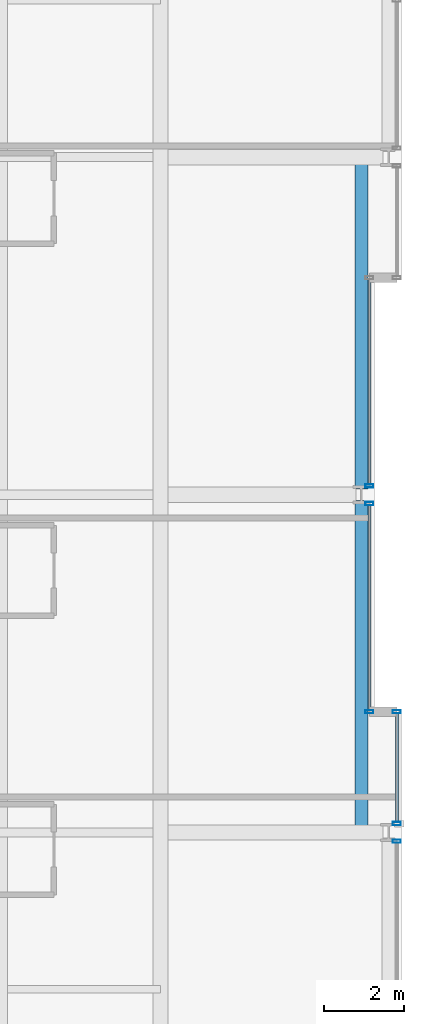
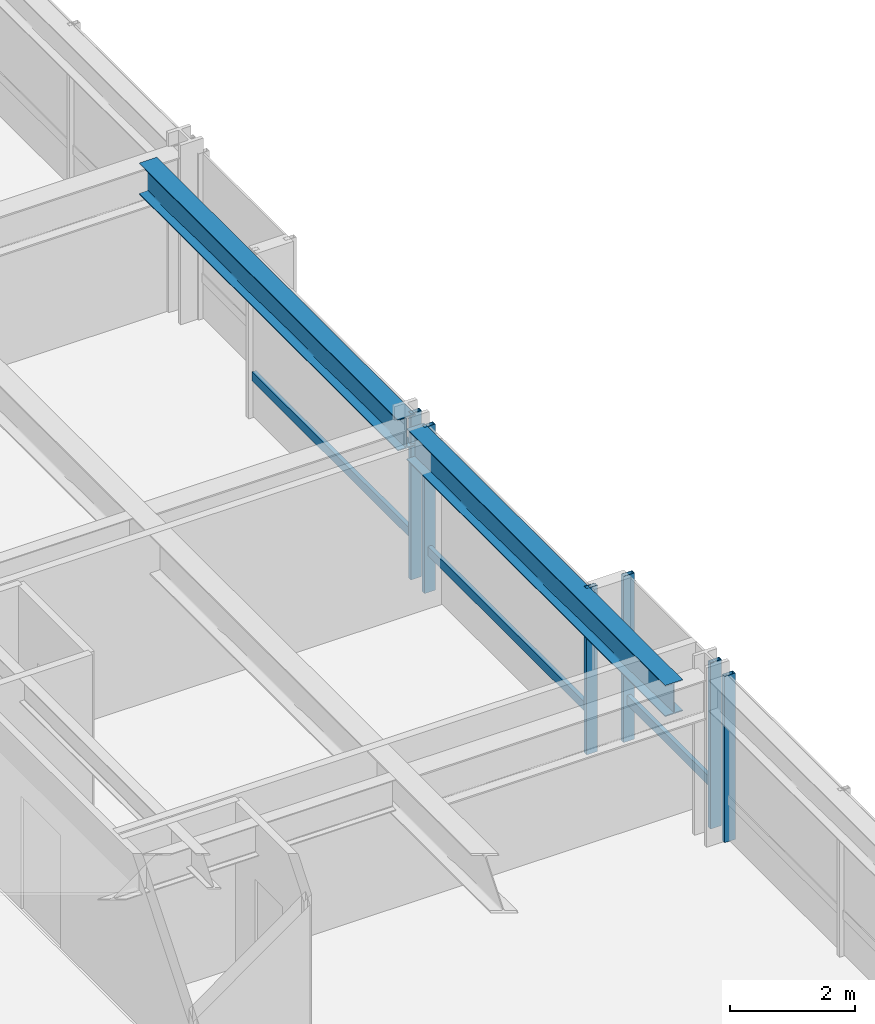
# One storey, part 15 of 33: 9 members, 2 beams, 4 elements without a shape of their own.
"""IFC4 building model written with IfcOpenShell, lengths in metres."""

import ifcopenshell
import ifcopenshell.guid

model = None  # the IFC model being written
_history = None  # IfcOwnerHistory: only IFC2X3 demands one
_inside = {}  # id of a spatial element -> (the spatial element, [elements in it])
_under = {}  # id of a project, library or spatial element -> (it, [spatial elements below it])
_declared = {}  # id of a project -> (the project, [libraries it declares])
_typed = {}  # id of a type object -> (the type object, [elements of that type])
_made_of = {}  # id of a material, layer set ... -> (it, [elements and type objects made of it])


def new_model(schema):
    """Start an empty IFC model of exactly this schema.

    Asked for "IFC4X3", IfcOpenShell would pick the latest addendum, in which some entities
    have other attributes; the version numbers below select the first issue.
    IFC2X3 requires an IfcOwnerHistory on every rooted entity: one is made here for all.
    """
    global model, _history
    if schema == "IFC4X3":
        model = ifcopenshell.file(schema_version=(4, 3, 0, 0))
    else:
        model = ifcopenshell.file(schema=schema)
    _inside.clear()
    _under.clear()
    _declared.clear()
    _typed.clear()
    _made_of.clear()
    _history = None
    if model.schema == "IFC2X3":
        org = make("IfcOrganization", Name="unknown")
        user = make(
            "IfcPersonAndOrganization",
            ThePerson=make("IfcPerson", FamilyName="unknown"),
            TheOrganization=org,
        )
        app = make(
            "IfcApplication",
            ApplicationDeveloper=org,
            Version="unknown",
            ApplicationFullName="unknown",
            ApplicationIdentifier="unknown",
        )
        _history = make(
            "IfcOwnerHistory",
            OwningUser=user,
            OwningApplication=app,
            ChangeAction="ADDED",
            CreationDate=0,
        )
    return model


def make(cls, **values):
    """One entity of the class cls with the attributes given. An attribute that is None is left unset."""
    return model.create_entity(
        cls, **{name: value for name, value in values.items() if value is not None}
    )


def rooted(cls, **values):
    """An entity with a GlobalId (a new one), such as an element, a storey or a relation."""
    return make(cls, GlobalId=ifcopenshell.guid.new(), OwnerHistory=_history, **values)


def si_unit(unit_type, name, prefix=None):
    """IfcSIUnit, for example si_unit("LENGTHUNIT", "METRE", prefix="MILLI")."""
    return make("IfcSIUnit", UnitType=unit_type, Prefix=prefix, Name=name)


def assignment(units):
    """IfcUnitAssignment: the units of a project."""
    return None if units is None else make("IfcUnitAssignment", Units=units)


def point(xyz):
    """IfcCartesianPoint."""
    return None if xyz is None else make("IfcCartesianPoint", Coordinates=xyz)


def direction(xyz):
    """IfcDirection."""
    return None if xyz is None else make("IfcDirection", DirectionRatios=xyz)


def frame(location, z_axis=None, x_axis=None):
    """IfcAxis2Placement3D, a coordinate frame: its origin and axes. An axis left out is left unset."""
    return make(
        "IfcAxis2Placement3D",
        Location=point(location),
        Axis=direction(z_axis),
        RefDirection=direction(x_axis),
    )


def frame_2d(location, x_axis=None):
    """IfcAxis2Placement2D, a coordinate frame in the plane: its origin and x axis."""
    return make(
        "IfcAxis2Placement2D", Location=point(location), RefDirection=direction(x_axis)
    )


def origin():
    """The frame at (0, 0, 0) with its axes left unset."""
    return frame((0.0, 0.0, 0.0))


def origin_2d():
    """The frame at (0, 0) in the plane with its x axis left unset."""
    return frame_2d((0.0, 0.0))


def place(relative_to, where):
    """IfcLocalPlacement: puts the frame where relative to a parent placement (None: the world)."""
    return make(
        "IfcLocalPlacement", PlacementRelTo=relative_to, RelativePlacement=where
    )


def context(
    kind, dimensions, precision=None, world=None, true_north=None, identifier=None
):
    """IfcGeometricRepresentationContext, for example the 3D "Model" context."""
    return make(
        "IfcGeometricRepresentationContext",
        ContextIdentifier=identifier,
        ContextType=kind,
        CoordinateSpaceDimension=dimensions,
        Precision=precision,
        WorldCoordinateSystem=world,
        TrueNorth=true_north,
    )


def subcontext(parent, identifier, kind, view, scale=None):
    """IfcGeometricRepresentationSubContext, for example "Body" below "Model"."""
    return make(
        "IfcGeometricRepresentationSubContext",
        ContextIdentifier=identifier,
        ContextType=kind,
        ParentContext=parent,
        TargetScale=scale,
        TargetView=view,
    )


def project(units=None, contexts=None):
    """IfcProject with its units and contexts."""
    return rooted(
        "IfcProject",
        Name="project",
        RepresentationContexts=contexts,
        UnitsInContext=assignment(units),
    )


def spatial(cls, under=None, at=None, **own):
    """A site, building, storey or space (cls), placed at a placement, below another one or the project."""
    s = rooted(cls, ObjectPlacement=at, **own)
    if under is not None:
        _under.setdefault(under.id(), (under, []))[1].append(s)
    return s


def profile(cls, at=None, kind="AREA", **sizes):
    """A parametric profile (cls). Its sizes go by their IFC names, for example OverallWidth=200.0."""
    return make(cls, ProfileType=kind, Position=at, **sizes)


def hollow_rectangle(**sizes):
    """IfcRectangleHollowProfileDef."""
    return profile("IfcRectangleHollowProfileDef", **sizes)


def i_section(**sizes):
    """IfcIShapeProfileDef."""
    return profile("IfcIShapeProfileDef", **sizes)


def extrude(swept, where, along, depth):
    """IfcExtrudedAreaSolid: the profile swept, set in the frame where, extruded along a direction by depth."""
    return make(
        "IfcExtrudedAreaSolid",
        SweptArea=swept,
        Position=where,
        ExtrudedDirection=direction(along),
        Depth=depth,
    )


def shape(context_of_items, identifier, shape_type, items):
    """IfcShapeRepresentation: the items that make up one representation, for example the "Body"."""
    return make(
        "IfcShapeRepresentation",
        ContextOfItems=context_of_items,
        RepresentationIdentifier=identifier,
        RepresentationType=shape_type,
        Items=items,
    )


def material(Name=None, Category=None):
    """IfcMaterial."""
    return make("IfcMaterial", Name=Name, Category=Category)


def layer(
    of_material, thickness, ventilated=None, Name=None, Category=None, Priority=None
):
    """IfcMaterialLayer: one layer of a wall or slab, of a material (None: an air gap)."""
    return make(
        "IfcMaterialLayer",
        Material=of_material,
        LayerThickness=thickness,
        IsVentilated=ventilated,
        Name=Name,
        Category=Category,
        Priority=Priority,
    )


def layer_set(layers, Name=None):
    """IfcMaterialLayerSet."""
    return make("IfcMaterialLayerSet", MaterialLayers=layers, LayerSetName=Name)


def material_profile(
    of_material, cross_section, Name=None, Category=None, Priority=None
):
    """IfcMaterialProfile: a cross section and its material."""
    return make(
        "IfcMaterialProfile",
        Name=Name,
        Material=of_material,
        Profile=cross_section,
        Priority=Priority,
        Category=Category,
    )


def profile_set(profiles, Name=None, composite=None):
    """IfcMaterialProfileSet."""
    return make(
        "IfcMaterialProfileSet",
        Name=Name,
        MaterialProfiles=profiles,
        CompositeProfile=composite,
    )


def made_of(thing, what):
    """Note that an element or type object is made of a material, layer set ...; save() writes the relation."""
    if what is not None:
        _made_of.setdefault(what.id(), (what, []))[1].append(thing)
    return thing


def type_object(cls, material=None, **own):
    """A type object (cls), such as IfcWallType, which elements share."""
    return made_of(rooted(cls, **own), material)


def element(
    cls,
    number,
    at=None,
    inside=None,
    cuts=None,
    type_object=None,
    material=None,
    context=None,
    identifier="Body",
    shape_type=None,
    held_by="IfcProductDefinitionShape",
    body=None,
    shapes=None,
    **own,
):
    """One element of the class cls, such as IfcWall. Its Tag is "e" and its number.

    at: its placement. inside: the storey or other place that contains it. cuts: it is an
    opening in that element (IfcRelVoidsElement). A single representation is given by context,
    identifier, shape_type and body (its items); several are given by shapes. held_by: the class
    of the entity that holds the representations. save() writes the other relations.
    """
    e = rooted(cls, Tag="e%d" % number, ObjectPlacement=at, **own)
    if body is not None:
        shapes = [shape(context, identifier, shape_type, body)]
    if shapes is not None:
        e.Representation = make(held_by, Representations=shapes)
    if inside is not None:
        _inside.setdefault(inside.id(), (inside, []))[1].append(e)
    if cuts is not None:
        rooted(
            "IfcRelVoidsElement", RelatingBuildingElement=cuts, RelatedOpeningElement=e
        )
    if type_object is not None:
        _typed.setdefault(type_object.id(), (type_object, []))[1].append(e)
    return made_of(e, material)


def aggregate(whole, parts):
    """IfcRelAggregates: a whole, such as a stair, and the parts it consists of."""
    return rooted("IfcRelAggregates", RelatingObject=whole, RelatedObjects=parts)


def save(model, path):
    """Write the relations noted so far, then the file.

    IfcRelAggregates (storeys below a building ...), IfcRelContainedInSpatialStructure (elements
    in a storey), IfcRelDefinesByType, IfcRelAssociatesMaterial and IfcRelDeclares: one each for
    every whole, place, type object, material and project.
    """
    for whole, parts in _under.values():
        aggregate(whole, parts)
    for where, things in _inside.values():
        rooted(
            "IfcRelContainedInSpatialStructure",
            RelatedElements=things,
            RelatingStructure=where,
        )
    for kind, things in _typed.values():
        rooted("IfcRelDefinesByType", RelatedObjects=things, RelatingType=kind)
    for what, things in _made_of.values():
        rooted("IfcRelAssociatesMaterial", RelatedObjects=things, RelatingMaterial=what)
    for by, libraries in _declared.values():
        rooted("IfcRelDeclares", RelatingContext=by, RelatedDefinitions=libraries)
    model.write(path)


model = new_model("IFC4")

# Units and contexts
model_context = context("Model", 3, precision=1e-05, world=origin(), true_north=direction((0.0, 1.0)))
body_context = subcontext(model_context, "Body", "Model", "MODEL_VIEW")
ifc_project = project(units=[si_unit("LENGTHUNIT", "METRE"), si_unit("AREAUNIT", "SQUARE_METRE"), si_unit("VOLUMEUNIT", "CUBIC_METRE"), si_unit("PLANEANGLEUNIT", "RADIAN"), si_unit("MASSUNIT", "GRAM", prefix="KILO")], contexts=[model_context])

# Site, building, storey
site_placement = place(None, origin())
site = spatial("IfcSite", under=ifc_project, at=site_placement, CompositionType="ELEMENT")
building_placement = place(site_placement, origin())
building = spatial("IfcBuilding", under=site, at=building_placement, Name="Drelvath Grand Hotel", CompositionType="ELEMENT")
storey_placement = place(building_placement, frame((0.0, 0.0, 105.800048828125)))
storey = spatial("IfcBuildingStorey", under=building, at=storey_placement, Name="L26", CompositionType="ELEMENT", Elevation=105.800048828125)

# Curtain wall, member
ifc_material_1 = material(Name="Champagne Bronze Anodised Aluminium Frame", Category="aluminium")
ifc_layer = layer(ifc_material_1, 0.199951171875)
ifc_layer_set = layer_set([ifc_layer], Name="Champagne Bronze Anodised Aluminium Frame")
curtain_wall_type = type_object("IfcCurtainWallType", Name="Stick Curtain Wall CW-03 Champagne Bronze Mid-Rise", PredefinedType="NOTDEFINED", material=ifc_layer_set)
curtain_wall_1_placement = place(storey_placement, origin())
curtain_wall_1 = element("IfcCurtainWall", 1, at=curtain_wall_1_placement, inside=storey, type_object=curtain_wall_type, Name="L26 CW-03 Curtain Wall CW03-L26-EM1", PredefinedType="NOTDEFINED")
ifc_material_profile_1 = material_profile(ifc_material_1, hollow_rectangle(XDim=0.074951171875, YDim=0.179931640625, WallThickness=0.0048828125, at=origin_2d()), Name="HSS180X75X5")
ifc_profile_set_1 = profile_set([ifc_material_profile_1], Name="Champagne Bronze Anodised Aluminium Frame")
member_type_1 = type_object("IfcMemberType", Name="Curtain Wall Horizontal Transom CW-03 HSS180X75X5", PredefinedType="USERDEFINED", material=ifc_profile_set_1)
member_1_placement = place(storey_placement, frame((21.39990234375, 26.740478515625, 0.81005859375), z_axis=(0.0, -1.0, 0.0), x_axis=(1.0, 0.0, 0.0)))
member_1 = element("IfcMember", 2, at=member_1_placement, type_object=member_type_1, Name="CW03-L26-EM1 Sill Transom", ObjectType="TRANSOM", PredefinedType="USERDEFINED", context=body_context, shape_type="SweptSolid", body=[
    extrude(hollow_rectangle(XDim=0.074951171875, YDim=0.179931640625, WallThickness=0.0048828125, at=origin_2d()), origin(), (0.0, 0.0, 1.0), 5.1005859375),
])

curtain_wall_2_placement = place(storey_placement, origin())
curtain_wall_2 = element("IfcCurtainWall", 3, at=curtain_wall_2_placement, inside=storey, type_object=curtain_wall_type, Name="L26 CW-03 Curtain Wall CW03-L26-EM2", PredefinedType="NOTDEFINED")
member_2_placement = place(storey_placement, frame((21.39990234375, 32.360107421875, 0.81005859375), z_axis=(0.0, -1.0, 0.0), x_axis=(1.0, 0.0, 0.0)))
member_2 = element("IfcMember", 4, at=member_2_placement, type_object=member_type_1, Name="CW03-L26-EM2 Sill Transom", ObjectType="TRANSOM", PredefinedType="USERDEFINED", context=body_context, shape_type="SweptSolid", body=[
    extrude(hollow_rectangle(XDim=0.074951171875, YDim=0.179931640625, WallThickness=0.0048828125, at=origin_2d()), origin(), (0.0, 0.0, 1.0), 5.1005859375),
])

curtain_wall_3_placement = place(storey_placement, origin())
curtain_wall_3 = element("IfcCurtainWall", 5, at=curtain_wall_3_placement, inside=storey, type_object=curtain_wall_type, Name="L26 CW-03 Curtain Wall CW03-L26-ES3", PredefinedType="NOTDEFINED")
member_3_placement = place(storey_placement, frame((22.080078125, 21.56005859375, 0.81005859375), z_axis=(0.0, -1.0, 0.0), x_axis=(1.0, 0.0, 0.0)))
member_3 = element("IfcMember", 6, at=member_3_placement, type_object=member_type_1, Name="CW03-L26-ES3 Sill Transom", ObjectType="TRANSOM", PredefinedType="USERDEFINED", context=body_context, shape_type="SweptSolid", body=[
    extrude(hollow_rectangle(XDim=0.074951171875, YDim=0.179931640625, WallThickness=0.0048828125, at=origin_2d()), origin(), (0.0, 0.0, 1.0), 2.700439453125),
])

# Member
ifc_material_profile_2 = material_profile(ifc_material_1, hollow_rectangle(XDim=0.080078125, YDim=0.199951171875, WallThickness=0.0048828125, at=origin_2d()), Name="HSS200X80X5")
ifc_profile_set_2 = profile_set([ifc_material_profile_2], Name="Champagne Bronze Anodised Aluminium Frame")
member_type_2 = type_object("IfcMemberType", Name="Curtain Wall Vertical Mullion CW-03 HSS200X80X5", PredefinedType="MULLION", material=ifc_profile_set_2)
member_4_placement = place(storey_placement, frame((21.39990234375, 26.780517578125, 0.0), z_axis=(0.0, 0.0, 1.0), x_axis=(0.0, 1.0, 0.0)))
member_4 = element("IfcMember", 7, at=member_4_placement, type_object=member_type_2, Name="CW03-L26-EM1 Mullion 1", PredefinedType="MULLION", context=body_context, shape_type="SweptSolid", body=[
    extrude(hollow_rectangle(XDim=0.080078125, YDim=0.199951171875, WallThickness=0.0048828125, at=origin_2d()), origin(), (0.0, 0.0, 1.0), 3.239990234375),
])

member_5_placement = place(storey_placement, frame((21.39990234375, 21.60009765625, 0.0), z_axis=(0.0, 0.0, 1.0), x_axis=(0.0, 1.0, 0.0)))
member_5 = element("IfcMember", 8, at=member_5_placement, type_object=member_type_2, Name="CW03-L26-EM1 Mullion 2", PredefinedType="MULLION", context=body_context, shape_type="SweptSolid", body=[
    extrude(hollow_rectangle(XDim=0.080078125, YDim=0.199951171875, WallThickness=0.0048828125, at=origin_2d()), origin(), (0.0, 0.0, 1.0), 3.239990234375),
])

aggregate(curtain_wall_1, [member_4, member_5, member_1])

member_6_placement = place(storey_placement, frame((21.39990234375, 27.219482421875, 0.0), z_axis=(0.0, 0.0, 1.0), x_axis=(0.0, 1.0, 0.0)))
member_6 = element("IfcMember", 9, at=member_6_placement, type_object=member_type_2, Name="CW03-L26-EM2 Mullion 2", PredefinedType="MULLION", context=body_context, shape_type="SweptSolid", body=[
    extrude(hollow_rectangle(XDim=0.080078125, YDim=0.199951171875, WallThickness=0.0048828125, at=origin_2d()), origin(), (0.0, 0.0, 1.0), 3.239990234375),
])

aggregate(curtain_wall_2, [member_6, member_2])

# Curtain wall, member
curtain_wall_4_placement = place(storey_placement, origin())
curtain_wall_4 = element("IfcCurtainWall", 10, at=curtain_wall_4_placement, inside=storey, type_object=curtain_wall_type, Name="L26 CW-03 Curtain Wall CW03-L26-ES2", PredefinedType="NOTDEFINED")
member_7_placement = place(storey_placement, frame((22.080078125, 18.38037109375, 0.0), z_axis=(0.0, 0.0, 1.0), x_axis=(0.0, 1.0, 0.0)))
member_7 = element("IfcMember", 11, at=member_7_placement, type_object=member_type_2, Name="CW03-L26-ES2 Mullion 1", PredefinedType="MULLION", context=body_context, shape_type="SweptSolid", body=[
    extrude(hollow_rectangle(XDim=0.080078125, YDim=0.199951171875, WallThickness=0.0048828125, at=origin_2d()), origin(), (0.0, 0.0, 1.0), 3.239990234375),
])
aggregate(curtain_wall_4, [member_7])

# Member
member_8_placement = place(storey_placement, frame((22.080078125, 21.60009765625, 0.0), z_axis=(0.0, 0.0, 1.0), x_axis=(0.0, 1.0, 0.0)))
member_8 = element("IfcMember", 12, at=member_8_placement, type_object=member_type_2, Name="CW03-L26-ES3 Mullion 1", PredefinedType="MULLION", context=body_context, shape_type="SweptSolid", body=[
    extrude(hollow_rectangle(XDim=0.080078125, YDim=0.199951171875, WallThickness=0.0048828125, at=origin_2d()), origin(), (0.0, 0.0, 1.0), 3.239990234375),
])

member_9_placement = place(storey_placement, frame((22.080078125, 18.819580078125, 0.0), z_axis=(0.0, 0.0, 1.0), x_axis=(0.0, 1.0, 0.0)))
member_9 = element("IfcMember", 13, at=member_9_placement, type_object=member_type_2, Name="CW03-L26-ES3 Mullion 2", PredefinedType="MULLION", context=body_context, shape_type="SweptSolid", body=[
    extrude(hollow_rectangle(XDim=0.080078125, YDim=0.199951171875, WallThickness=0.0048828125, at=origin_2d()), origin(), (0.0, 0.0, 1.0), 3.239990234375),
])

aggregate(curtain_wall_3, [member_8, member_9, member_3])

# Beams
ifc_material_2 = material(Name="Steel ASTM A992 Gr 50", Category="steel")
ifc_material_profile_3 = material_profile(ifc_material_2, i_section(OverallWidth=0.323974609375, OverallDepth=0.611083984375, WebThickness=0.0126953125, FlangeThickness=0.01904296875, FilletRadius=0.02197265625, at=origin_2d()), Name="W24X104")
ifc_profile_set_3 = profile_set([ifc_material_profile_3], Name="Steel ASTM A992 Gr 50")
beam_type = type_object("IfcBeamType", Name="Perimeter Spandrel Beam W24X104", PredefinedType="SPANDREL", material=ifc_profile_set_3)
for number, where, z_axis, x_axis, name in (
    (14, (21.199951171875, 18.60009765625, 2.9345703125), (0.0, 1.0, 0.0), (-1.0, 0.0, 0.0), "L26 Spandrel East Mid S"),
    (15, (21.199951171875, 27.139892578125, 2.9345703125), (0.0, 1.0, 0.0), (-1.0, 0.0, 0.0), "L26 Spandrel East Mid N"),
):
    element("IfcBeam", number, at=place(storey_placement, frame(where, z_axis=z_axis, x_axis=x_axis)), inside=storey, type_object=beam_type, Name=name, PredefinedType="SPANDREL", context=body_context, shape_type="SweptSolid", body=[
        extrude(i_section(OverallWidth=0.323974609375, OverallDepth=0.611083984375, WebThickness=0.0126953125, FlangeThickness=0.01904296875, FilletRadius=0.02197265625, at=origin_2d()), origin(), (0.0, 0.0, 1.0), 8.260009765625),
    ])

save(model, "model.ifc")
